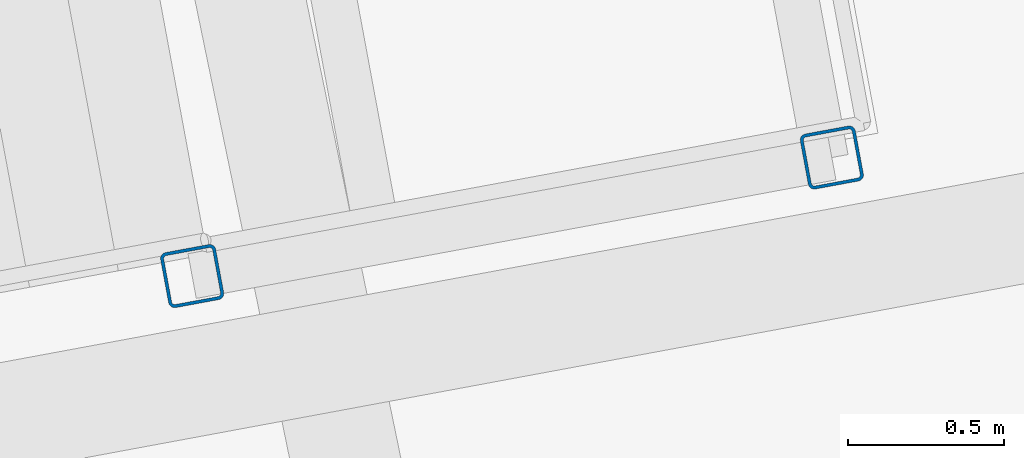
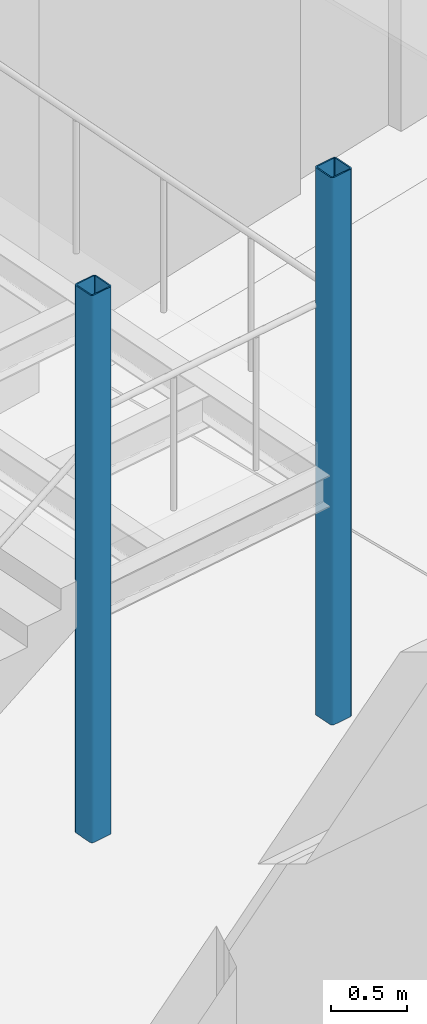
# One storey, part 9 of 92: 2 columns.
"""IFC4 building model written with IfcOpenShell, lengths in metres."""

from ifc_helpers import new_model, si_unit, direction, frame, origin, origin_2d, place, context, subcontext, project, spatial, hollow_rectangle, extrude, material, material_profile, profile_set, type_object, element, save


model = new_model("IFC4")

# Units and contexts
model_context = context("Model", 3, precision=1e-05, world=origin(), true_north=direction((0.0, 1.0)))
body_context = subcontext(model_context, "Body", "Model", "MODEL_VIEW")
ifc_project = project(units=[si_unit("LENGTHUNIT", "METRE"), si_unit("AREAUNIT", "SQUARE_METRE"), si_unit("VOLUMEUNIT", "CUBIC_METRE"), si_unit("PLANEANGLEUNIT", "RADIAN"), si_unit("MASSUNIT", "GRAM", prefix="KILO")], contexts=[model_context])

# Site, building, storey
site_placement = place(None, origin())
site = spatial("IfcSite", under=ifc_project, at=site_placement, CompositionType="ELEMENT")
building_placement = place(site_placement, origin())
building = spatial("IfcBuilding", under=site, at=building_placement, Name="Caldaven Crescent School", CompositionType="ELEMENT")
storey_placement = place(building_placement, origin())
storey = spatial("IfcBuildingStorey", under=building, at=storey_placement, Name="L00", CompositionType="ELEMENT", Elevation=0.0)

# Columns
ifc_material = material(Name="Steel ASTM A572 Grade 50", Category="steel")
ifc_material_profile = material_profile(ifc_material, hollow_rectangle(XDim=0.179931640625, YDim=0.179931640625, WallThickness=0.010009765625, InnerFilletRadius=0.010009765625, OuterFilletRadius=0.02001953125, at=origin_2d()), Name="HSS 180x180x10")
ifc_profile_set = profile_set([ifc_material_profile], Name="Steel ASTM A572 Grade 50")
column_type = type_object("IfcColumnType", Name="COL-HS18", PredefinedType="COLUMN", material=ifc_profile_set)
for number, where, z_axis, x_axis, name in (
    (1, (100.97119140625, 31.391845703125, 0.0), (0.0, 0.0, 1.0), (0.983254907564, 0.182235525492, 0.0), "COL-STPOST-ST3-L00-A"),
    (2, (103.026123046875, 31.772705078125, 0.0), (0.0, 0.0, 1.0), (0.983254907564, 0.182235525492, 0.0), "COL-STPOST-ST3-L00-C"),
):
    element("IfcColumn", number, at=place(storey_placement, frame(where, z_axis=z_axis, x_axis=x_axis)), inside=storey, type_object=column_type, Name=name, PredefinedType="COLUMN", context=body_context, shape_type="SweptSolid", body=[
        extrude(hollow_rectangle(XDim=0.179931640625, YDim=0.179931640625, WallThickness=0.010009765625, InnerFilletRadius=0.010009765625, OuterFilletRadius=0.02001953125, at=origin_2d()), origin(), (0.0, 0.0, 1.0), 4.419921875),
    ])

save(model, "model.ifc")
